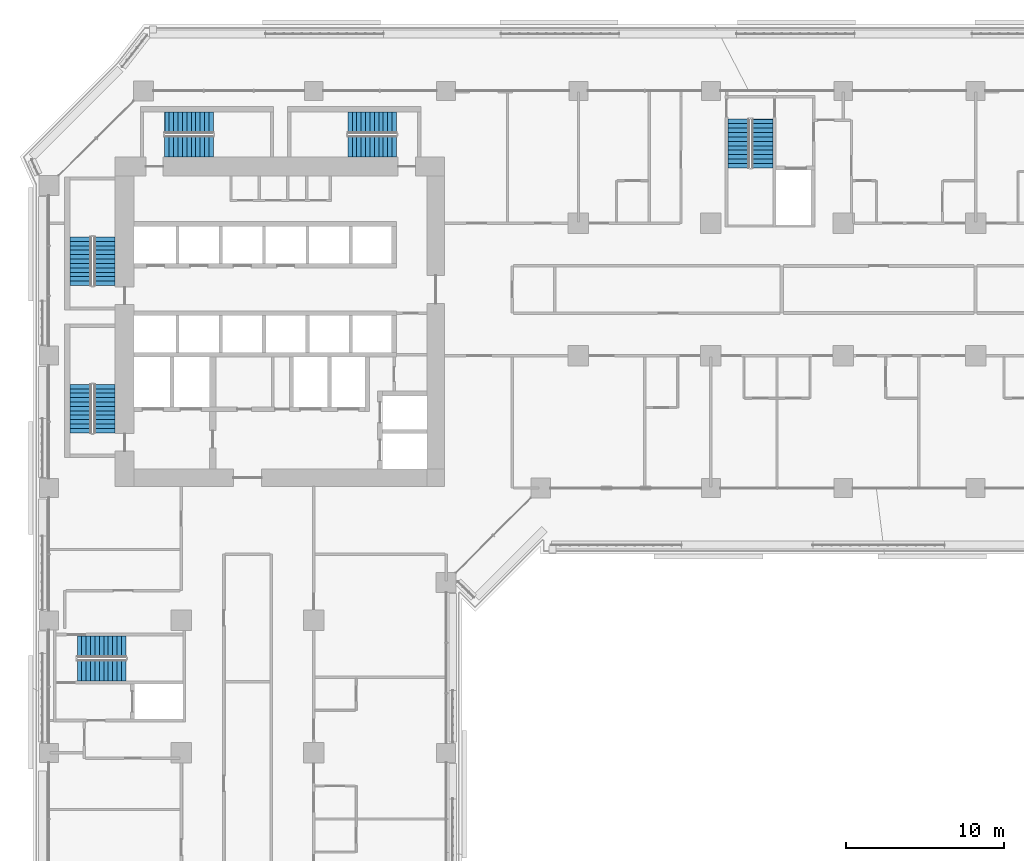
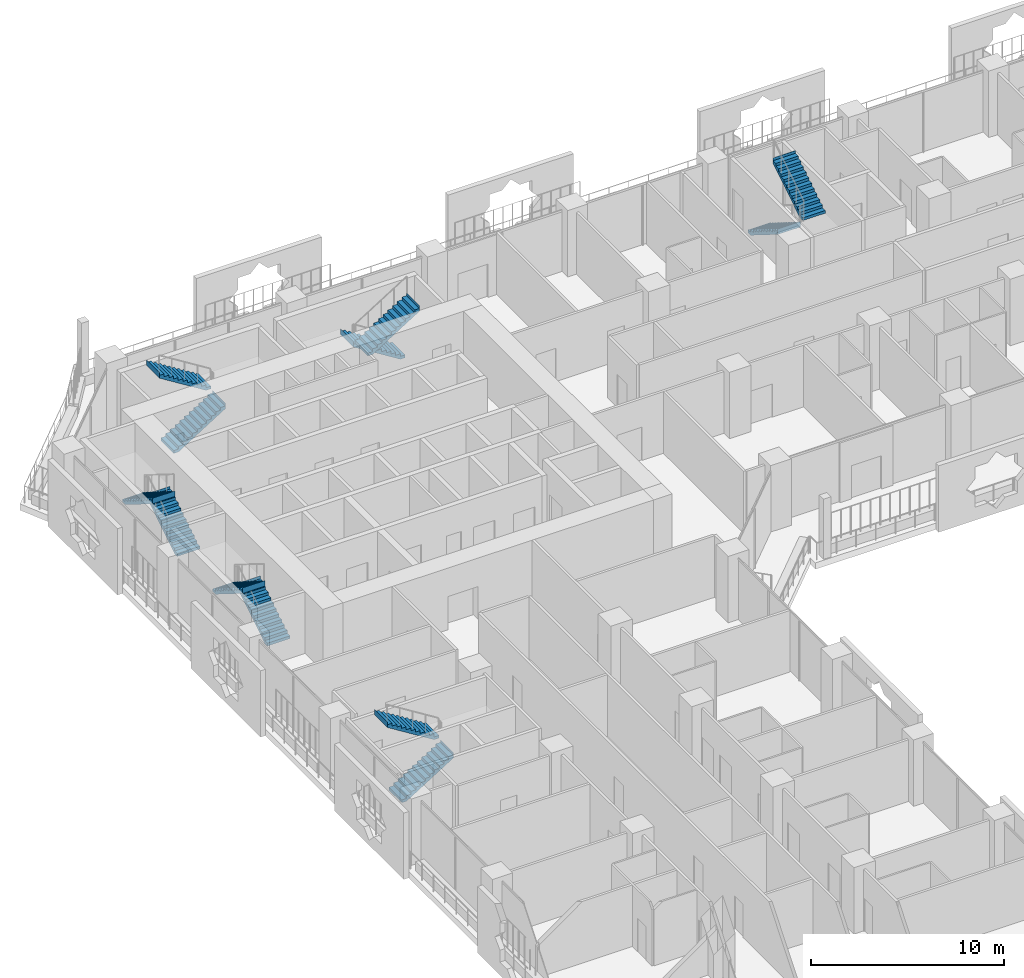
# One storey, part 20 of 28: 12 stair flights, 6 elements without a shape of their own.
"""IFC4 building model written with IfcOpenShell, lengths in metres."""

from ifc_helpers import new_model, si_unit, direction, frame, origin, place, context, subcontext, project, spatial, polyline, outline, extrude, material, type_object, element, aggregate, save


model = new_model("IFC4")

# Units and contexts
model_context = context("Model", 3, precision=1e-05, world=origin(), true_north=direction((0.0, 1.0)))
body_context = subcontext(model_context, "Body", "Model", "MODEL_VIEW")
ifc_project = project(units=[si_unit("LENGTHUNIT", "METRE"), si_unit("AREAUNIT", "SQUARE_METRE"), si_unit("VOLUMEUNIT", "CUBIC_METRE"), si_unit("PLANEANGLEUNIT", "RADIAN"), si_unit("MASSUNIT", "GRAM", prefix="KILO")], contexts=[model_context])

# Site, building, storey
site_placement = place(None, origin())
site = spatial("IfcSite", under=ifc_project, at=site_placement, CompositionType="ELEMENT")
building_placement = place(site_placement, origin())
building = spatial("IfcBuilding", under=site, at=building_placement, Name="Kawkab Arch Medical Tower", CompositionType="ELEMENT")
storey_placement = place(building_placement, frame((0.0, 0.0, 72.800048828125)))
storey = spatial("IfcBuildingStorey", under=building, at=storey_placement, Name="L16", CompositionType="ELEMENT", Elevation=72.800048828125)

# Stair, stair flights
ifc_material_1 = material(Name="Concrete C40/50", Category="concrete")
stair_type = type_object("IfcStairType", Name="Exit stair 1350", PredefinedType="HALF_TURN_STAIR", material=ifc_material_1)
placement = place(storey_placement, origin())
stair_1 = element("IfcStair", 1, at=placement, inside=storey, type_object=stair_type, Name="L16 Exit stair ST1", PredefinedType="HALF_TURN_STAIR")
ifc_material_2 = material(Name="Concrete C40/50", Category="concrete")
stair_flight_type = type_object("IfcStairFlightType", Name="Exit stair flight 1350", PredefinedType="STRAIGHT", material=ifc_material_2)
stair_flight_1_placement = place(storey_placement, frame((3.52490234375, -12.35009765625, 0.0), z_axis=(0.0, 0.0, 1.0), x_axis=(0.0, 1.0, 0.0)))
stair_flight_1 = element("IfcStairFlight", 2, at=stair_flight_1_placement, type_object=stair_flight_type, Name="ST1 flight 1", NumberOfRisers=12, NumberOfTreads=11, PredefinedType="STRAIGHT", RiserHeight=0.175, TreadLength=0.28, context=body_context, shape_type="SweptSolid", body=[
    extrude(outline(polyline([(-0.0029296875, 0.0), (-0.0029296875, 0.175048828125), (0.0, 0.175048828125), (0.280029296875, 0.175048828125), (0.280029296875, 0.35009765625), (0.56005859375, 0.35009765625), (0.56005859375, 0.52490234375), (0.840087890625, 0.52490234375), (0.840087890625, 0.699951171875), (1.1201171875, 0.699951171875), (1.1201171875, 0.875), (1.39990234375, 0.875), (1.39990234375, 1.050048828125), (1.679931640625, 1.050048828125), (1.679931640625, 1.22509765625), (1.9599609375, 1.22509765625), (1.9599609375, 1.39990234375), (2.239990234375, 1.39990234375), (2.239990234375, 1.574951171875), (2.52001953125, 1.574951171875), (2.52001953125, 1.75), (2.800048828125, 1.75), (2.800048828125, 1.925048828125), (3.080078125, 1.925048828125), (3.080078125, 2.10009765625), (3.0830078125, 2.10009765625), (3.0830078125, 1.748291015625), (3.080078125, 1.748291015625), (0.28271484375, 0.0), (-0.0029296875, 0.0)])), frame((0.0, 0.675048828125, 0.0), z_axis=(0.0, -1.0, 0.0), x_axis=(1.0, 0.0, 0.0)), (0.0, 0.0, 1.0), 1.35009765625),
])
stair_flight_2_placement = place(storey_placement, frame((2.02490234375, -9.27001953125, 2.099853515625), z_axis=(0.0, 0.0, 1.0), x_axis=(0.0, -1.0, 0.0)))
stair_flight_2 = element("IfcStairFlight", 3, at=stair_flight_2_placement, type_object=stair_flight_type, Name="ST1 flight 2", NumberOfRisers=12, NumberOfTreads=11, PredefinedType="STRAIGHT", RiserHeight=0.175, TreadLength=0.28, context=body_context, shape_type="SweptSolid", body=[
    extrude(outline(polyline([(-0.0029296875, 0.0), (-0.0029296875, 0.175048828125), (0.0, 0.175048828125), (0.280029296875, 0.175048828125), (0.280029296875, 0.35009765625), (0.56005859375, 0.35009765625), (0.56005859375, 0.52490234375), (0.840087890625, 0.52490234375), (0.840087890625, 0.699951171875), (1.1201171875, 0.699951171875), (1.1201171875, 0.875), (1.39990234375, 0.875), (1.39990234375, 1.050048828125), (1.679931640625, 1.050048828125), (1.679931640625, 1.22509765625), (1.9599609375, 1.22509765625), (1.9599609375, 1.39990234375), (2.239990234375, 1.39990234375), (2.239990234375, 1.574951171875), (2.52001953125, 1.574951171875), (2.52001953125, 1.75), (2.800048828125, 1.75), (2.800048828125, 1.925048828125), (3.080078125, 1.925048828125), (3.080078125, 2.10009765625), (3.0830078125, 2.10009765625), (3.0830078125, 1.748291015625), (3.080078125, 1.748291015625), (0.28271484375, 0.0), (-0.0029296875, 0.0)])), frame((0.0, 0.675048828125, 0.0), z_axis=(0.0, -1.0, 0.0), x_axis=(1.0, 0.0, 0.0)), (0.0, 0.0, 1.0), 1.35009765625),
])
aggregate(stair_1, [stair_flight_1, stair_flight_2])

stair_2 = element("IfcStair", 4, at=placement, inside=storey, type_object=stair_type, Name="L16 Exit stair ST2", PredefinedType="HALF_TURN_STAIR")
stair_flight_3_placement = place(storey_placement, frame((3.52490234375, -21.699951171875, 0.0), z_axis=(0.0, 0.0, 1.0), x_axis=(0.0, 1.0, 0.0)))
stair_flight_3 = element("IfcStairFlight", 5, at=stair_flight_3_placement, type_object=stair_flight_type, Name="ST2 flight 1", NumberOfRisers=12, NumberOfTreads=11, PredefinedType="STRAIGHT", RiserHeight=0.175, TreadLength=0.28, context=body_context, shape_type="SweptSolid", body=[
    extrude(outline(polyline([(-0.0029296875, 0.0), (-0.0029296875, 0.175048828125), (0.0, 0.175048828125), (0.280029296875, 0.175048828125), (0.280029296875, 0.35009765625), (0.56005859375, 0.35009765625), (0.56005859375, 0.52490234375), (0.840087890625, 0.52490234375), (0.840087890625, 0.699951171875), (1.1201171875, 0.699951171875), (1.1201171875, 0.875), (1.39990234375, 0.875), (1.39990234375, 1.050048828125), (1.679931640625, 1.050048828125), (1.679931640625, 1.22509765625), (1.9599609375, 1.22509765625), (1.9599609375, 1.39990234375), (2.239990234375, 1.39990234375), (2.239990234375, 1.574951171875), (2.52001953125, 1.574951171875), (2.52001953125, 1.75), (2.800048828125, 1.75), (2.800048828125, 1.925048828125), (3.080078125, 1.925048828125), (3.080078125, 2.10009765625), (3.0830078125, 2.10009765625), (3.0830078125, 1.748291015625), (3.080078125, 1.748291015625), (0.28271484375, 0.0), (-0.0029296875, 0.0)])), frame((0.0, 0.675048828125, 0.0), z_axis=(0.0, -1.0, 0.0), x_axis=(1.0, 0.0, 0.0)), (0.0, 0.0, 1.0), 1.35009765625),
])
stair_flight_4_placement = place(storey_placement, frame((2.02490234375, -18.6201171875, 2.099853515625), z_axis=(0.0, 0.0, 1.0), x_axis=(0.0, -1.0, 0.0)))
stair_flight_4 = element("IfcStairFlight", 6, at=stair_flight_4_placement, type_object=stair_flight_type, Name="ST2 flight 2", NumberOfRisers=12, NumberOfTreads=11, PredefinedType="STRAIGHT", RiserHeight=0.175, TreadLength=0.28, context=body_context, shape_type="SweptSolid", body=[
    extrude(outline(polyline([(-0.0029296875, 0.0), (-0.0029296875, 0.175048828125), (0.0, 0.175048828125), (0.280029296875, 0.175048828125), (0.280029296875, 0.35009765625), (0.56005859375, 0.35009765625), (0.56005859375, 0.52490234375), (0.840087890625, 0.52490234375), (0.840087890625, 0.699951171875), (1.1201171875, 0.699951171875), (1.1201171875, 0.875), (1.39990234375, 0.875), (1.39990234375, 1.050048828125), (1.679931640625, 1.050048828125), (1.679931640625, 1.22509765625), (1.9599609375, 1.22509765625), (1.9599609375, 1.39990234375), (2.239990234375, 1.39990234375), (2.239990234375, 1.574951171875), (2.52001953125, 1.574951171875), (2.52001953125, 1.75), (2.800048828125, 1.75), (2.800048828125, 1.925048828125), (3.080078125, 1.925048828125), (3.080078125, 2.10009765625), (3.0830078125, 2.10009765625), (3.0830078125, 1.748291015625), (3.080078125, 1.748291015625), (0.28271484375, 0.0), (-0.0029296875, 0.0)])), frame((0.0, 0.675048828125, 0.0), z_axis=(0.0, -1.0, 0.0), x_axis=(1.0, 0.0, 0.0)), (0.0, 0.0, 1.0), 1.35009765625),
])
aggregate(stair_2, [stair_flight_3, stair_flight_4])

stair_3 = element("IfcStair", 7, at=placement, inside=storey, type_object=stair_type, Name="L16 Exit stair ST3", PredefinedType="HALF_TURN_STAIR")
stair_flight_5_placement = place(storey_placement, frame((7.35009765625, -3.52490234375, 0.0), z_axis=(0.0, 0.0, 1.0), x_axis=(1.0, 0.0, 0.0)))
stair_flight_5 = element("IfcStairFlight", 8, at=stair_flight_5_placement, type_object=stair_flight_type, Name="ST3 flight 1", NumberOfRisers=12, NumberOfTreads=11, PredefinedType="STRAIGHT", RiserHeight=0.175, TreadLength=0.28, context=body_context, shape_type="SweptSolid", body=[
    extrude(outline(polyline([(-0.0029296875, 0.0), (-0.0029296875, 0.175048828125), (0.0, 0.175048828125), (0.280029296875, 0.175048828125), (0.280029296875, 0.35009765625), (0.56005859375, 0.35009765625), (0.56005859375, 0.52490234375), (0.840087890625, 0.52490234375), (0.840087890625, 0.699951171875), (1.1201171875, 0.699951171875), (1.1201171875, 0.875), (1.39990234375, 0.875), (1.39990234375, 1.050048828125), (1.679931640625, 1.050048828125), (1.679931640625, 1.22509765625), (1.9599609375, 1.22509765625), (1.9599609375, 1.39990234375), (2.239990234375, 1.39990234375), (2.239990234375, 1.574951171875), (2.52001953125, 1.574951171875), (2.52001953125, 1.75), (2.800048828125, 1.75), (2.800048828125, 1.925048828125), (3.080078125, 1.925048828125), (3.080078125, 2.10009765625), (3.0830078125, 2.10009765625), (3.0830078125, 1.748291015625), (3.080078125, 1.748291015625), (0.28271484375, 0.0), (-0.0029296875, 0.0)])), frame((0.0, 0.675048828125, 0.0), z_axis=(0.0, -1.0, 0.0), x_axis=(1.0, 0.0, 0.0)), (0.0, 0.0, 1.0), 1.35009765625),
])
stair_flight_6_placement = place(storey_placement, frame((10.429931640625, -2.02490234375, 2.099853515625), z_axis=(0.0, 0.0, 1.0), x_axis=(-1.0, 0.0, 0.0)))
stair_flight_6 = element("IfcStairFlight", 9, at=stair_flight_6_placement, type_object=stair_flight_type, Name="ST3 flight 2", NumberOfRisers=12, NumberOfTreads=11, PredefinedType="STRAIGHT", RiserHeight=0.175, TreadLength=0.28, context=body_context, shape_type="SweptSolid", body=[
    extrude(outline(polyline([(-0.0029296875, 0.0), (-0.0029296875, 0.175048828125), (0.0, 0.175048828125), (0.280029296875, 0.175048828125), (0.280029296875, 0.35009765625), (0.56005859375, 0.35009765625), (0.56005859375, 0.52490234375), (0.840087890625, 0.52490234375), (0.840087890625, 0.699951171875), (1.1201171875, 0.699951171875), (1.1201171875, 0.875), (1.39990234375, 0.875), (1.39990234375, 1.050048828125), (1.679931640625, 1.050048828125), (1.679931640625, 1.22509765625), (1.9599609375, 1.22509765625), (1.9599609375, 1.39990234375), (2.239990234375, 1.39990234375), (2.239990234375, 1.574951171875), (2.52001953125, 1.574951171875), (2.52001953125, 1.75), (2.800048828125, 1.75), (2.800048828125, 1.925048828125), (3.080078125, 1.925048828125), (3.080078125, 2.10009765625), (3.0830078125, 2.10009765625), (3.0830078125, 1.748291015625), (3.080078125, 1.748291015625), (0.28271484375, 0.0), (-0.0029296875, 0.0)])), frame((0.0, 0.675048828125, 0.0), z_axis=(0.0, -1.0, 0.0), x_axis=(1.0, 0.0, 0.0)), (0.0, 0.0, 1.0), 1.35009765625),
])
aggregate(stair_3, [stair_flight_5, stair_flight_6])

stair_4 = element("IfcStair", 10, at=placement, inside=storey, type_object=stair_type, Name="L16 Exit stair ST4", PredefinedType="HALF_TURN_STAIR")
stair_flight_7_placement = place(storey_placement, frame((22.050048828125, -2.02490234375, 0.0), z_axis=(0.0, 0.0, 1.0), x_axis=(-1.0, 0.0, 0.0)))
stair_flight_7 = element("IfcStairFlight", 11, at=stair_flight_7_placement, type_object=stair_flight_type, Name="ST4 flight 1", NumberOfRisers=12, NumberOfTreads=11, PredefinedType="STRAIGHT", RiserHeight=0.175, TreadLength=0.28, context=body_context, shape_type="SweptSolid", body=[
    extrude(outline(polyline([(-0.0029296875, 0.0), (-0.0029296875, 0.175048828125), (0.0, 0.175048828125), (0.280029296875, 0.175048828125), (0.280029296875, 0.35009765625), (0.56005859375, 0.35009765625), (0.56005859375, 0.52490234375), (0.840087890625, 0.52490234375), (0.840087890625, 0.699951171875), (1.1201171875, 0.699951171875), (1.1201171875, 0.875), (1.39990234375, 0.875), (1.39990234375, 1.050048828125), (1.679931640625, 1.050048828125), (1.679931640625, 1.22509765625), (1.9599609375, 1.22509765625), (1.9599609375, 1.39990234375), (2.239990234375, 1.39990234375), (2.239990234375, 1.574951171875), (2.52001953125, 1.574951171875), (2.52001953125, 1.75), (2.800048828125, 1.75), (2.800048828125, 1.925048828125), (3.080078125, 1.925048828125), (3.080078125, 2.10009765625), (3.0830078125, 2.10009765625), (3.0830078125, 1.748291015625), (3.080078125, 1.748291015625), (0.28271484375, 0.0), (-0.0029296875, 0.0)])), frame((0.0, 0.675048828125, 0.0), z_axis=(0.0, -1.0, 0.0), x_axis=(1.0, 0.0, 0.0)), (0.0, 0.0, 1.0), 1.35009765625),
])
stair_flight_8_placement = place(storey_placement, frame((18.969970703125, -3.52490234375, 2.099853515625), z_axis=(0.0, 0.0, 1.0), x_axis=(1.0, 0.0, 0.0)))
stair_flight_8 = element("IfcStairFlight", 12, at=stair_flight_8_placement, type_object=stair_flight_type, Name="ST4 flight 2", NumberOfRisers=12, NumberOfTreads=11, PredefinedType="STRAIGHT", RiserHeight=0.175, TreadLength=0.28, context=body_context, shape_type="SweptSolid", body=[
    extrude(outline(polyline([(-0.0029296875, 0.0), (-0.0029296875, 0.175048828125), (0.0, 0.175048828125), (0.280029296875, 0.175048828125), (0.280029296875, 0.35009765625), (0.56005859375, 0.35009765625), (0.56005859375, 0.52490234375), (0.840087890625, 0.52490234375), (0.840087890625, 0.699951171875), (1.1201171875, 0.699951171875), (1.1201171875, 0.875), (1.39990234375, 0.875), (1.39990234375, 1.050048828125), (1.679931640625, 1.050048828125), (1.679931640625, 1.22509765625), (1.9599609375, 1.22509765625), (1.9599609375, 1.39990234375), (2.239990234375, 1.39990234375), (2.239990234375, 1.574951171875), (2.52001953125, 1.574951171875), (2.52001953125, 1.75), (2.800048828125, 1.75), (2.800048828125, 1.925048828125), (3.080078125, 1.925048828125), (3.080078125, 2.10009765625), (3.0830078125, 2.10009765625), (3.0830078125, 1.748291015625), (3.080078125, 1.748291015625), (0.28271484375, 0.0), (-0.0029296875, 0.0)])), frame((0.0, 0.675048828125, 0.0), z_axis=(0.0, -1.0, 0.0), x_axis=(1.0, 0.0, 0.0)), (0.0, 0.0, 1.0), 1.35009765625),
])
aggregate(stair_4, [stair_flight_7, stair_flight_8])

stair_5 = element("IfcStair", 13, at=placement, inside=storey, type_object=stair_type, Name="L16 Exit stair ST5", PredefinedType="HALF_TURN_STAIR")
stair_flight_9_placement = place(storey_placement, frame((43.77490234375, -1.800048828125, 0.0), z_axis=(0.0, 0.0, 1.0), x_axis=(0.0, -1.0, 0.0)))
stair_flight_9 = element("IfcStairFlight", 14, at=stair_flight_9_placement, type_object=stair_flight_type, Name="ST5 flight 1", NumberOfRisers=12, NumberOfTreads=11, PredefinedType="STRAIGHT", RiserHeight=0.175, TreadLength=0.28, context=body_context, shape_type="SweptSolid", body=[
    extrude(outline(polyline([(-0.0029296875, 0.0), (-0.0029296875, 0.175048828125), (0.0, 0.175048828125), (0.280029296875, 0.175048828125), (0.280029296875, 0.35009765625), (0.56005859375, 0.35009765625), (0.56005859375, 0.52490234375), (0.840087890625, 0.52490234375), (0.840087890625, 0.699951171875), (1.1201171875, 0.699951171875), (1.1201171875, 0.875), (1.39990234375, 0.875), (1.39990234375, 1.050048828125), (1.679931640625, 1.050048828125), (1.679931640625, 1.22509765625), (1.9599609375, 1.22509765625), (1.9599609375, 1.39990234375), (2.239990234375, 1.39990234375), (2.239990234375, 1.574951171875), (2.52001953125, 1.574951171875), (2.52001953125, 1.75), (2.800048828125, 1.75), (2.800048828125, 1.925048828125), (3.080078125, 1.925048828125), (3.080078125, 2.10009765625), (3.0830078125, 2.10009765625), (3.0830078125, 1.748291015625), (3.080078125, 1.748291015625), (0.28271484375, 0.0), (-0.0029296875, 0.0)])), frame((0.0, 0.675048828125, 0.0), z_axis=(0.0, -1.0, 0.0), x_axis=(1.0, 0.0, 0.0)), (0.0, 0.0, 1.0), 1.35009765625),
])
stair_flight_10_placement = place(storey_placement, frame((45.27490234375, -4.8798828125, 2.099853515625), z_axis=(0.0, 0.0, 1.0), x_axis=(0.0, 1.0, 0.0)))
stair_flight_10 = element("IfcStairFlight", 15, at=stair_flight_10_placement, type_object=stair_flight_type, Name="ST5 flight 2", NumberOfRisers=12, NumberOfTreads=11, PredefinedType="STRAIGHT", RiserHeight=0.175, TreadLength=0.28, context=body_context, shape_type="SweptSolid", body=[
    extrude(outline(polyline([(-0.0029296875, 0.0), (-0.0029296875, 0.175048828125), (0.0, 0.175048828125), (0.280029296875, 0.175048828125), (0.280029296875, 0.35009765625), (0.56005859375, 0.35009765625), (0.56005859375, 0.52490234375), (0.840087890625, 0.52490234375), (0.840087890625, 0.699951171875), (1.1201171875, 0.699951171875), (1.1201171875, 0.875), (1.39990234375, 0.875), (1.39990234375, 1.050048828125), (1.679931640625, 1.050048828125), (1.679931640625, 1.22509765625), (1.9599609375, 1.22509765625), (1.9599609375, 1.39990234375), (2.239990234375, 1.39990234375), (2.239990234375, 1.574951171875), (2.52001953125, 1.574951171875), (2.52001953125, 1.75), (2.800048828125, 1.75), (2.800048828125, 1.925048828125), (3.080078125, 1.925048828125), (3.080078125, 2.10009765625), (3.0830078125, 2.10009765625), (3.0830078125, 1.748291015625), (3.080078125, 1.748291015625), (0.28271484375, 0.0), (-0.0029296875, 0.0)])), frame((0.0, 0.675048828125, 0.0), z_axis=(0.0, -1.0, 0.0), x_axis=(1.0, 0.0, 0.0)), (0.0, 0.0, 1.0), 1.35009765625),
])
aggregate(stair_5, [stair_flight_9, stair_flight_10])

stair_6 = element("IfcStair", 16, at=placement, inside=storey, type_object=stair_type, Name="L16 Exit stair ST6", PredefinedType="HALF_TURN_STAIR")
stair_flight_11_placement = place(storey_placement, frame((1.800048828125, -36.77490234375, 0.0), z_axis=(0.0, 0.0, 1.0), x_axis=(1.0, 0.0, 0.0)))
stair_flight_11 = element("IfcStairFlight", 17, at=stair_flight_11_placement, type_object=stair_flight_type, Name="ST6 flight 1", NumberOfRisers=12, NumberOfTreads=11, PredefinedType="STRAIGHT", RiserHeight=0.175, TreadLength=0.28, context=body_context, shape_type="SweptSolid", body=[
    extrude(outline(polyline([(-0.0029296875, 0.0), (-0.0029296875, 0.175048828125), (0.0, 0.175048828125), (0.280029296875, 0.175048828125), (0.280029296875, 0.35009765625), (0.56005859375, 0.35009765625), (0.56005859375, 0.52490234375), (0.840087890625, 0.52490234375), (0.840087890625, 0.699951171875), (1.1201171875, 0.699951171875), (1.1201171875, 0.875), (1.39990234375, 0.875), (1.39990234375, 1.050048828125), (1.679931640625, 1.050048828125), (1.679931640625, 1.22509765625), (1.9599609375, 1.22509765625), (1.9599609375, 1.39990234375), (2.239990234375, 1.39990234375), (2.239990234375, 1.574951171875), (2.52001953125, 1.574951171875), (2.52001953125, 1.75), (2.800048828125, 1.75), (2.800048828125, 1.925048828125), (3.080078125, 1.925048828125), (3.080078125, 2.10009765625), (3.0830078125, 2.10009765625), (3.0830078125, 1.748291015625), (3.080078125, 1.748291015625), (0.28271484375, 0.0), (-0.0029296875, 0.0)])), frame((0.0, 0.675048828125, 0.0), z_axis=(0.0, -1.0, 0.0), x_axis=(1.0, 0.0, 0.0)), (0.0, 0.0, 1.0), 1.35009765625),
])
stair_flight_12_placement = place(storey_placement, frame((4.8798828125, -35.27490234375, 2.099853515625), z_axis=(0.0, 0.0, 1.0), x_axis=(-1.0, 0.0, 0.0)))
stair_flight_12 = element("IfcStairFlight", 18, at=stair_flight_12_placement, type_object=stair_flight_type, Name="ST6 flight 2", NumberOfRisers=12, NumberOfTreads=11, PredefinedType="STRAIGHT", RiserHeight=0.175, TreadLength=0.28, context=body_context, shape_type="SweptSolid", body=[
    extrude(outline(polyline([(-0.0029296875, 0.0), (-0.0029296875, 0.175048828125), (0.0, 0.175048828125), (0.280029296875, 0.175048828125), (0.280029296875, 0.35009765625), (0.56005859375, 0.35009765625), (0.56005859375, 0.52490234375), (0.840087890625, 0.52490234375), (0.840087890625, 0.699951171875), (1.1201171875, 0.699951171875), (1.1201171875, 0.875), (1.39990234375, 0.875), (1.39990234375, 1.050048828125), (1.679931640625, 1.050048828125), (1.679931640625, 1.22509765625), (1.9599609375, 1.22509765625), (1.9599609375, 1.39990234375), (2.239990234375, 1.39990234375), (2.239990234375, 1.574951171875), (2.52001953125, 1.574951171875), (2.52001953125, 1.75), (2.800048828125, 1.75), (2.800048828125, 1.925048828125), (3.080078125, 1.925048828125), (3.080078125, 2.10009765625), (3.0830078125, 2.10009765625), (3.0830078125, 1.748291015625), (3.080078125, 1.748291015625), (0.28271484375, 0.0), (-0.0029296875, 0.0)])), frame((0.0, 0.675048828125, 0.0), z_axis=(0.0, -1.0, 0.0), x_axis=(1.0, 0.0, 0.0)), (0.0, 0.0, 1.0), 1.35009765625),
])
aggregate(stair_6, [stair_flight_11, stair_flight_12])

save(model, "model.ifc")
